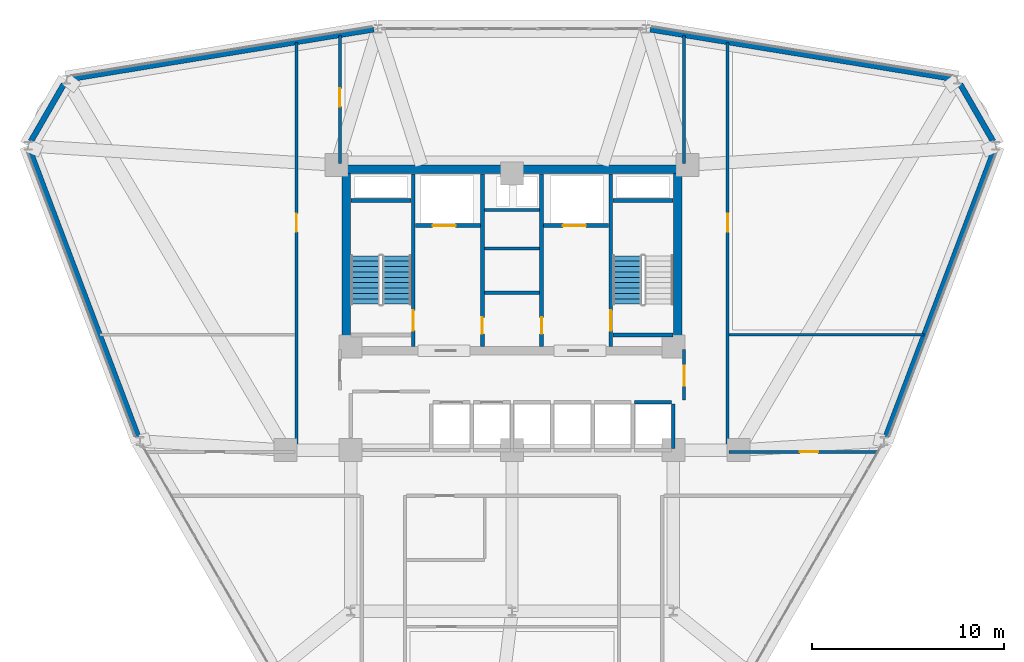
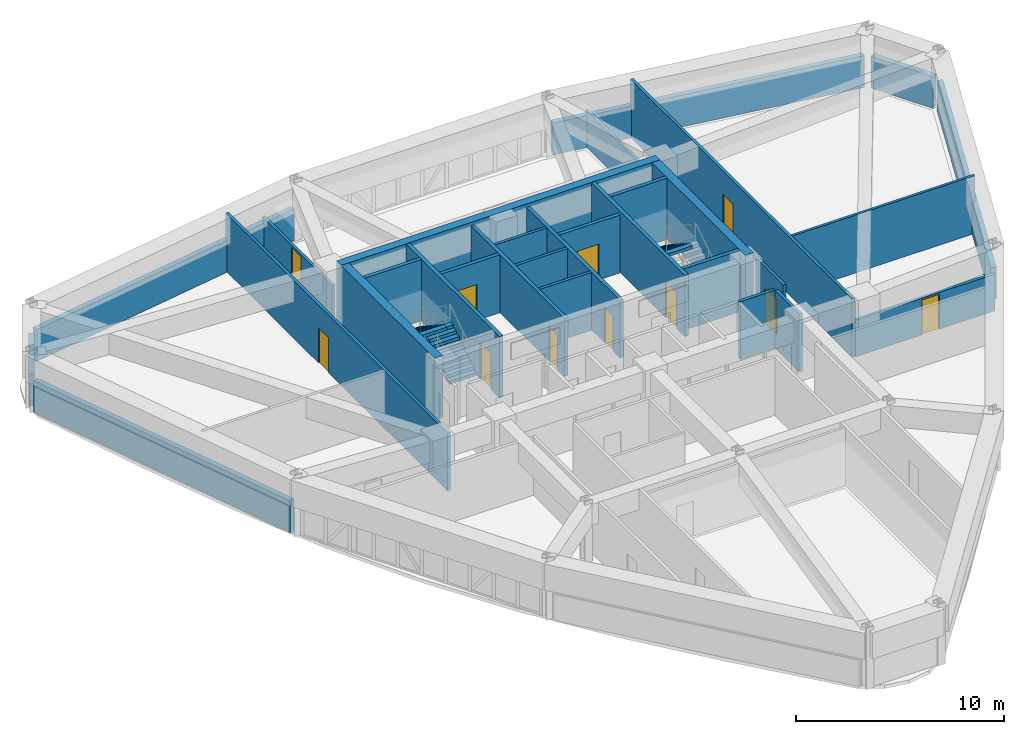
# One storey, part 11 of 15: 30 walls, 11 doors, 3 stair flights, 11 openings, 2 elements without a shape of their own.
"""IFC4 building model written with IfcOpenShell, lengths in metres."""

from ifc_helpers import new_model, si_unit, derived_unit, direction, frame, frame_2d, origin, place, context, subcontext, project, spatial, polyline, rectangle, outline, extrude, material, layer, layer_set, type_object, element, fill, aggregate, save


model = new_model("IFC4")

# Units and contexts
model_context = context("Model", 3, precision=1e-05, world=origin(), true_north=direction((0.0, 1.0)))
body_context = subcontext(model_context, "Body", "Model", "MODEL_VIEW")
ifc_project = project(units=[si_unit("LENGTHUNIT", "METRE"), si_unit("AREAUNIT", "SQUARE_METRE"), si_unit("VOLUMEUNIT", "CUBIC_METRE"), si_unit("PLANEANGLEUNIT", "RADIAN"), si_unit("MASSUNIT", "GRAM", prefix="KILO"), derived_unit("THERMALTRANSMITTANCEUNIT", [(si_unit("POWERUNIT", "WATT"), 1), (si_unit("LENGTHUNIT", "METRE"), -2), (si_unit("THERMODYNAMICTEMPERATUREUNIT", "KELVIN"), -1)])], contexts=[model_context])

# Site, building, storey
site_placement = place(None, origin())
site = spatial("IfcSite", under=ifc_project, at=site_placement, CompositionType="ELEMENT")
building_placement = place(site_placement, origin())
building = spatial("IfcBuilding", under=site, at=building_placement, Name="Korsvarv Bourse and Concert Hall", CompositionType="ELEMENT")
storey_placement = place(building_placement, frame((0.0, 0.0, 117.0)))
storey = spatial("IfcBuildingStorey", under=building, at=storey_placement, Name="L29", CompositionType="ELEMENT", Elevation=117.0)

# Wall, opening, door
ifc_material_1 = material(Name="Concrete C50/60", Category="concrete")
ifc_layer_1 = layer(ifc_material_1, 0.3798828125)
ifc_layer_set_1 = layer_set([ifc_layer_1], Name="Concrete C50/60")
wall_type_1 = type_object("IfcWallType", Name="WL-CORE-380", PredefinedType="SHEAR", material=ifc_layer_set_1)
wall_1_placement = place(storey_placement, frame((30.860107421875, 37.81005859375, 0.0), z_axis=(0.0, 0.0, 1.0), x_axis=(0.0, 1.0, 0.0)))
wall_1 = element("IfcWall", 1, at=wall_1_placement, inside=storey, type_object=wall_type_1, Name="L29 stair shaft structural wall W-L29-ST1-E", PredefinedType="SHEAR", context=body_context, shape_type="SweptSolid", body=[
    extrude(rectangle(XDim=8.97998046875, YDim=0.199951171875, at=frame_2d((4.489990234375, 0.0))), origin(), (0.0, 0.0, 1.0), 3.60009765625),
])
opening_1_placement = place(wall_1_placement, frame((0.820068359375, 0.0, 0.0)))
opening_1 = element("IfcOpeningElement", 2, at=opening_1_placement, cuts=wall_1, Name="Opening D-01", PredefinedType="OPENING", context=body_context, shape_type="SweptSolid", body=[
    extrude(rectangle(XDim=1.050048828125, YDim=2.10009765625, at=frame_2d((0.52490234375, 1.050048828125))), frame((0.0, 0.10986328125, 0.0), z_axis=(0.0, -1.0, 0.0), x_axis=(1.0, 0.0, 0.0)), (0.0, 0.0, 1.0), 0.219970703125),
])
ifc_material_2 = material(Name="Steel S355 fire door", Category="steel")
door_type_1 = type_object("IfcDoorType", Name="DR-FD60", OperationType="NOTDEFINED", PredefinedType="DOOR", material=ifc_material_2)
door_1_placement = place(opening_1_placement, origin())
door_1 = element("IfcDoor", 3, at=door_1_placement, inside=storey, type_object=door_type_1, Name="L29 interior door DR-L29-ST1", OperationType="SINGLE_SWING_LEFT", OverallHeight=2.10009765625, OverallWidth=1.050048828125, PredefinedType="DOOR", context=body_context, shape_type="SweptSolid", body=[
    extrude(rectangle(XDim=1.050048828125, YDim=2.10009765625, at=frame_2d((0.52490234375, 1.050048828125))), frame((0.0, 0.02490234375, 0.0), z_axis=(0.0, -1.0, 0.0), x_axis=(1.0, 0.0, 0.0)), (0.0, 0.0, 1.0), 0.050048828125),
])
fill(opening_1, door_1)

# Wall
wall_2_placement = place(storey_placement, frame((27.610107421875, 45.39990234375, 0.0), z_axis=(0.0, 0.0, 1.0), x_axis=(1.0, 0.0, 0.0)))
element("IfcWall", 4, at=wall_2_placement, inside=storey, type_object=wall_type_1, Name="L29 stair shaft structural wall W-L29-ST1-N", PredefinedType="SHEAR", context=body_context, shape_type="SweptSolid", body=[
    extrude(rectangle(XDim=3.139892578125, YDim=0.199951171875, at=frame_2d((1.56982421875, 0.0))), origin(), (0.0, 0.0, 1.0), 3.60009765625),
])

# Wall, opening, door
wall_3_placement = place(storey_placement, frame((41.139892578125, 37.81005859375, 0.0), z_axis=(0.0, 0.0, 1.0), x_axis=(0.0, 1.0, 0.0)))
wall_3 = element("IfcWall", 5, at=wall_3_placement, inside=storey, type_object=wall_type_1, Name="L29 stair shaft structural wall W-L29-ST2-W", PredefinedType="SHEAR", context=body_context, shape_type="SweptSolid", body=[
    extrude(rectangle(XDim=8.97998046875, YDim=0.199951171875, at=frame_2d((4.489990234375, 0.0))), origin(), (0.0, 0.0, 1.0), 3.60009765625),
])
opening_2_placement = place(wall_3_placement, frame((0.820068359375, 0.0, 0.0)))
opening_2 = element("IfcOpeningElement", 6, at=opening_2_placement, cuts=wall_3, Name="Opening D-01", PredefinedType="OPENING", context=body_context, shape_type="SweptSolid", body=[
    extrude(rectangle(XDim=1.050048828125, YDim=2.10009765625, at=frame_2d((0.52490234375, 1.050048828125))), frame((0.0, 0.10986328125, 0.0), z_axis=(0.0, -1.0, 0.0), x_axis=(1.0, 0.0, 0.0)), (0.0, 0.0, 1.0), 0.219970703125),
])
door_2_placement = place(opening_2_placement, frame((1.050048828125, 0.0, 0.0), z_axis=(0.0, 0.0, 1.0), x_axis=(-1.0, 0.0, 0.0)))
door_2 = element("IfcDoor", 7, at=door_2_placement, inside=storey, type_object=door_type_1, Name="L29 interior door DR-L29-ST2", OperationType="SINGLE_SWING_RIGHT", OverallHeight=2.10009765625, OverallWidth=1.050048828125, PredefinedType="DOOR", context=body_context, shape_type="SweptSolid", body=[
    extrude(rectangle(XDim=1.050048828125, YDim=2.10009765625, at=frame_2d((0.52490234375, 1.050048828125))), frame((0.0, 0.02490234375, 0.0), z_axis=(0.0, -1.0, 0.0), x_axis=(1.0, 0.0, 0.0)), (0.0, 0.0, 1.0), 0.050048828125),
])
fill(opening_2, door_2)

# Walls
for number, where, z_axis, x_axis, name in (
    (8, (41.25, 45.39990234375, 0.0), (0.0, 0.0, 1.0), (1.0, 0.0, 0.0), "L29 stair shaft structural wall W-L29-ST2-N"),
    (9, (41.25, 38.39990234375, 0.0), (0.0, 0.0, 1.0), (1.0, 0.0, 0.0), "L29 stair shaft structural wall W-L29-ST2-S"),
):
    element("IfcWall", number, at=place(storey_placement, frame(where, z_axis=z_axis, x_axis=x_axis)), inside=storey, type_object=wall_type_1, Name=name, PredefinedType="SHEAR", context=body_context, shape_type="SweptSolid", body=[
        extrude(rectangle(XDim=3.139892578125, YDim=0.199951171875, at=frame_2d((1.56982421875, 0.0))), origin(), (0.0, 0.0, 1.0), 3.60009765625),
    ])
ifc_material_3 = material(Name="Concrete C55/67", Category="concrete")
ifc_layer_2 = layer(ifc_material_3, 0.449951171875)
ifc_layer_set_2 = layer_set([ifc_layer_2], Name="Concrete C55/67")
wall_type_2 = type_object("IfcWallType", Name="WL-CORE-450", PredefinedType="SHEAR", material=ifc_layer_set_2)
wall_4_placement = place(storey_placement, frame((27.14990234375, 47.02490234375, 0.0), z_axis=(0.0, 0.0, 1.0), x_axis=(1.0, 0.0, 0.0)))
element("IfcWall", 10, at=wall_4_placement, inside=storey, type_object=wall_type_2, Name="L29 North Core Shear Wall", PredefinedType="SHEAR", context=body_context, shape_type="SweptSolid", body=[
    extrude(rectangle(XDim=17.7001953125, YDim=0.449951171875, at=frame_2d((8.85009765625, 0.0))), origin(), (0.0, 0.0, 1.0), 3.60009765625),
])
for number, where, z_axis, x_axis, name in (
    (11, (27.375, 37.800048828125, 0.0), (0.0, 0.0, 1.0), (0.0, 1.0, 0.0), "L29 West Core Shear Wall"),
    (12, (44.625, 37.800048828125, 0.0), (0.0, 0.0, 1.0), (0.0, 1.0, 0.0), "L29 East Core Shear Wall"),
):
    element("IfcWall", number, at=place(storey_placement, frame(where, z_axis=z_axis, x_axis=x_axis)), inside=storey, type_object=wall_type_2, Name=name, PredefinedType="SHEAR", context=body_context, shape_type="SweptSolid", body=[
        extrude(rectangle(XDim=9.0, YDim=0.449951171875, at=frame_2d((4.5, 0.0))), origin(), (0.0, 0.0, 1.0), 3.60009765625),
    ])
ifc_material_4 = material(Name="Precast concrete C45/55 with terracotta rainscreen", Category="concrete")
ifc_layer_3 = layer(ifc_material_4, 0.300048828125)
ifc_layer_set_3 = layer_set([ifc_layer_3], Name="Precast concrete C45/55 with terracotta rainscreen")
wall_type_3 = type_object("IfcWallType", Name="WL-EXT-TC1", PredefinedType="SOLIDWALL", material=ifc_layer_set_3)
for number, where, z_axis, x_axis, name in (
    (13, (61.060791015625, 48.48388671875, 0.0), (0.0, 0.0, 1.0), (-0.500064626416, 0.86598808849, 0.0), "L29 terracotta exterior wall EW-L29-B01"),
    (14, (12.658447265625, 51.461181640625, 0.0), (0.0, 0.0, 1.0), (-0.500064626416, -0.86598808849, 0.0), "L29 terracotta exterior wall EW-L29-B05"),
):
    element("IfcWall", number, at=place(storey_placement, frame(where, z_axis=z_axis, x_axis=x_axis)), inside=storey, type_object=wall_type_3, Name=name, PredefinedType="SOLIDWALL", context=body_context, shape_type="SweptSolid", body=[
        extrude(rectangle(XDim=3.43798828125, YDim=0.300048828125, at=frame_2d((1.718994140625, 0.0))), origin(), (0.0, 0.0, 1.0), 1.8701171875),
    ])
ifc_material_5 = material(Name="Precast concrete C45/55 with fluted terracotta pier", Category="concrete")
ifc_layer_4 = layer(ifc_material_5, 0.280029296875)
ifc_layer_set_4 = layer_set([ifc_layer_4], Name="Precast concrete C45/55 with fluted terracotta pier")
wall_type_4 = type_object("IfcWallType", Name="WL-EXT-TC2", PredefinedType="SOLIDWALL", material=ifc_layer_set_4)
for number, where, z_axis, x_axis, name in (
    (15, (58.993408203125, 51.728759765625, 0.0), (0.0, 0.0, 1.0), (-0.98690696995, 0.161290522546, 0.0), "L29 terracotta exterior wall EW-L29-B02"),
    (16, (28.798095703125, 54.3095703125, 0.0), (0.0, 0.0, 1.0), (-0.98690696995, -0.161290522546, 0.0), "L29 terracotta exterior wall EW-L29-B04"),
):
    element("IfcWall", number, at=place(storey_placement, frame(where, z_axis=z_axis, x_axis=x_axis)), inside=storey, type_object=wall_type_4, Name=name, PredefinedType="SOLIDWALL", context=body_context, shape_type="SweptSolid", body=[
        extrude(rectangle(XDim=16.0009765625, YDim=0.280029296875, at=frame_2d((8.00048828125, 0.0))), origin(), (0.0, 0.0, 1.0), 1.8701171875),
    ])
for number, where, z_axis, x_axis, name in (
    (17, (10.89306640625, 48.018798828125, 0.0), (0.0, 0.0, 1.0), (0.353771130195, -0.935332019895, 0.0), "L29 terracotta exterior wall EW-L29-B06"),
    (18, (55.46875, 33.112060546875, 0.0), (0.0, 0.0, 1.0), (0.353771130195, 0.935332019895, 0.0), "L29 terracotta exterior wall EW-L29-B12"),
):
    element("IfcWall", number, at=place(storey_placement, frame(where, z_axis=z_axis, x_axis=x_axis)), inside=storey, type_object=wall_type_4, Name=name, PredefinedType="SOLIDWALL", context=body_context, shape_type="SweptSolid", body=[
        extrude(rectangle(XDim=15.937255859375, YDim=0.280029296875, at=frame_2d((7.96875, 0.0))), origin(), (0.0, 0.0, 1.0), 1.8701171875),
    ])

# Wall, opening, door
ifc_material_6 = material(Name="Reinforced concrete blockwork C35/45 fire wall", Category="concrete")
ifc_layer_5 = layer(ifc_material_6, 0.199951171875)
ifc_layer_set_5 = layer_set([ifc_layer_5], Name="Reinforced concrete blockwork C35/45 fire wall")
wall_type_5 = type_object("IfcWallType", Name="WL-INT-EI120", PredefinedType="PARTITIONING", material=ifc_layer_set_5)
wall_5_placement = place(storey_placement, frame((30.969970703125, 44.10009765625, 0.0), z_axis=(0.0, 0.0, 1.0), x_axis=(1.0, 0.0, 0.0)))
wall_5 = element("IfcWall", 19, at=wall_5_placement, inside=storey, type_object=wall_type_5, Name="L29 interior partition wall W-L29-FF1-S", PredefinedType="PARTITIONING", context=body_context, shape_type="SweptSolid", body=[
    extrude(rectangle(XDim=3.380126953125, YDim=0.199951171875, at=frame_2d((1.68994140625, 0.0))), origin(), (0.0, 0.0, 1.0), 3.39990234375),
])
opening_3_placement = place(wall_5_placement, frame((0.89990234375, 0.0, 0.0)))
opening_3 = element("IfcOpeningElement", 20, at=opening_3_placement, cuts=wall_5, Name="Opening LD-1", PredefinedType="OPENING", context=body_context, shape_type="SweptSolid", body=[
    extrude(rectangle(XDim=1.199951171875, YDim=2.10009765625, at=frame_2d((0.60009765625, 1.050048828125))), frame((0.0, 0.10986328125, 0.0), z_axis=(0.0, -1.0, 0.0), x_axis=(1.0, 0.0, 0.0)), (0.0, 0.0, 1.0), 0.219970703125),
])
ifc_material_7 = material(Name="Stainless Steel S355 firefighting lift landing door", Category="steel")
door_type_2 = type_object("IfcDoorType", Name="DR-LIFT-FF", OperationType="DOUBLE_DOOR_SLIDING", PredefinedType="DOOR", material=ifc_material_7)
door_3_placement = place(opening_3_placement, origin())
door_3 = element("IfcDoor", 21, at=door_3_placement, inside=storey, type_object=door_type_2, Name="L29 lift sliding landing door LD-L29-FF1", OperationType="DOUBLE_DOOR_SLIDING", OverallHeight=2.10009765625, OverallWidth=1.199951171875, PredefinedType="DOOR", context=body_context, shape_type="SweptSolid", body=[
    extrude(rectangle(XDim=1.199951171875, YDim=2.10009765625, at=frame_2d((0.60009765625, 1.050048828125))), frame((0.0, 0.02490234375, 0.0), z_axis=(0.0, -1.0, 0.0), x_axis=(1.0, 0.0, 0.0)), (0.0, 0.0, 1.0), 0.050048828125),
])
fill(opening_3, door_3)

wall_6_placement = place(storey_placement, frame((37.64990234375, 44.10009765625, 0.0), z_axis=(0.0, 0.0, 1.0), x_axis=(1.0, 0.0, 0.0)))
wall_6 = element("IfcWall", 22, at=wall_6_placement, inside=storey, type_object=wall_type_5, Name="L29 interior partition wall W-L29-FF2-S", PredefinedType="PARTITIONING", context=body_context, shape_type="SweptSolid", body=[
    extrude(rectangle(XDim=3.380126953125, YDim=0.199951171875, at=frame_2d((1.68994140625, 0.0))), origin(), (0.0, 0.0, 1.0), 3.39990234375),
])
opening_4_placement = place(wall_6_placement, frame((1.0, 0.0, 0.0)))
opening_4 = element("IfcOpeningElement", 23, at=opening_4_placement, cuts=wall_6, Name="Opening LD-1", PredefinedType="OPENING", context=body_context, shape_type="SweptSolid", body=[
    extrude(rectangle(XDim=1.199951171875, YDim=2.10009765625, at=frame_2d((0.60009765625, 1.050048828125))), frame((0.0, 0.10986328125, 0.0), z_axis=(0.0, -1.0, 0.0), x_axis=(1.0, 0.0, 0.0)), (0.0, 0.0, 1.0), 0.219970703125),
])
door_4_placement = place(opening_4_placement, origin())
door_4 = element("IfcDoor", 24, at=door_4_placement, inside=storey, type_object=door_type_2, Name="L29 lift sliding landing door LD-L29-FF2", OperationType="DOUBLE_DOOR_SLIDING", OverallHeight=2.10009765625, OverallWidth=1.199951171875, PredefinedType="DOOR", context=body_context, shape_type="SweptSolid", body=[
    extrude(rectangle(XDim=1.199951171875, YDim=2.10009765625, at=frame_2d((0.60009765625, 1.050048828125))), frame((0.0, 0.02490234375, 0.0), z_axis=(0.0, -1.0, 0.0), x_axis=(1.0, 0.0, 0.0)), (0.0, 0.0, 1.0), 0.050048828125),
])
fill(opening_4, door_4)

wall_7_placement = place(storey_placement, frame((34.4599609375, 37.81005859375, 0.0), z_axis=(0.0, 0.0, 1.0), x_axis=(0.0, 1.0, 0.0)))
wall_7 = element("IfcWall", 25, at=wall_7_placement, inside=storey, type_object=wall_type_5, Name="L29 interior partition wall W-L29-CSB-W", PredefinedType="PARTITIONING", context=body_context, shape_type="SweptSolid", body=[
    extrude(rectangle(XDim=8.97998046875, YDim=0.199951171875, at=frame_2d((4.489990234375, 0.0))), origin(), (0.0, 0.0, 1.0), 3.39990234375),
])
opening_5_placement = place(wall_7_placement, frame((0.64990234375, 0.0, 0.0)))
opening_5 = element("IfcOpeningElement", 26, at=opening_5_placement, cuts=wall_7, Name="Opening D-05", PredefinedType="OPENING", context=body_context, shape_type="SweptSolid", body=[
    extrude(rectangle(XDim=0.85009765625, YDim=2.050048828125, at=frame_2d((0.425048828125, 1.02490234375))), frame((0.0, 0.10986328125, 0.0), z_axis=(0.0, -1.0, 0.0), x_axis=(1.0, 0.0, 0.0)), (0.0, 0.0, 1.0), 0.219970703125),
])
door_type_3 = type_object("IfcDoorType", Name="DR-FD60-850X2050", OperationType="NOTDEFINED", PredefinedType="DOOR", material=ifc_material_2)
door_5_placement = place(opening_5_placement, frame((0.85009765625, 0.0, 0.0), z_axis=(0.0, 0.0, 1.0), x_axis=(-1.0, 0.0, 0.0)))
door_5 = element("IfcDoor", 27, at=door_5_placement, inside=storey, type_object=door_type_3, Name="L29 interior door DR-L29-CSB1", OperationType="SINGLE_SWING_LEFT", OverallHeight=2.050048828125, OverallWidth=0.85009765625, PredefinedType="DOOR", context=body_context, shape_type="SweptSolid", body=[
    extrude(rectangle(XDim=0.85009765625, YDim=2.050048828125, at=frame_2d((0.425048828125, 1.02490234375))), frame((0.0, 0.02490234375, 0.0), z_axis=(0.0, -1.0, 0.0), x_axis=(1.0, 0.0, 0.0)), (0.0, 0.0, 1.0), 0.050048828125),
])
fill(opening_5, door_5)

wall_8_placement = place(storey_placement, frame((37.5400390625, 37.81005859375, 0.0), z_axis=(0.0, 0.0, 1.0), x_axis=(0.0, 1.0, 0.0)))
wall_8 = element("IfcWall", 28, at=wall_8_placement, inside=storey, type_object=wall_type_5, Name="L29 interior partition wall W-L29-CSB-E", PredefinedType="PARTITIONING", context=body_context, shape_type="SweptSolid", body=[
    extrude(rectangle(XDim=8.97998046875, YDim=0.199951171875, at=frame_2d((4.489990234375, 0.0))), origin(), (0.0, 0.0, 1.0), 3.39990234375),
])
opening_6_placement = place(wall_8_placement, frame((0.64990234375, 0.0, 0.0)))
opening_6 = element("IfcOpeningElement", 29, at=opening_6_placement, cuts=wall_8, Name="Opening D-05", PredefinedType="OPENING", context=body_context, shape_type="SweptSolid", body=[
    extrude(rectangle(XDim=0.85009765625, YDim=2.050048828125, at=frame_2d((0.425048828125, 1.02490234375))), frame((0.0, 0.10986328125, 0.0), z_axis=(0.0, -1.0, 0.0), x_axis=(1.0, 0.0, 0.0)), (0.0, 0.0, 1.0), 0.219970703125),
])
door_6_placement = place(opening_6_placement, origin())
door_6 = element("IfcDoor", 30, at=door_6_placement, inside=storey, type_object=door_type_3, Name="L29 interior door DR-L29-CSB2", OperationType="SINGLE_SWING_RIGHT", OverallHeight=2.050048828125, OverallWidth=0.85009765625, PredefinedType="DOOR", context=body_context, shape_type="SweptSolid", body=[
    extrude(rectangle(XDim=0.85009765625, YDim=2.050048828125, at=frame_2d((0.425048828125, 1.02490234375))), frame((0.0, 0.02490234375, 0.0), z_axis=(0.0, -1.0, 0.0), x_axis=(1.0, 0.0, 0.0)), (0.0, 0.0, 1.0), 0.050048828125),
])
fill(opening_6, door_6)

# Walls
ifc_material_8 = material(Name="Double-stud fire-rated acoustic partition", Category="gypsum")
ifc_layer_6 = layer(ifc_material_8, 0.159912109375)
ifc_layer_set_6 = layer_set([ifc_layer_6], Name="Double-stud fire-rated acoustic partition")
wall_type_6 = type_object("IfcWallType", Name="WL-INT-EI60", PredefinedType="PARTITIONING", material=ifc_layer_set_6)
for number, where, z_axis, x_axis, name in (
    (31, (34.570068359375, 40.60009765625, 0.0), (0.0, 0.0, 1.0), (1.0, 0.0, 0.0), "L29 interior partition wall W-L29-K1"),
    (32, (34.570068359375, 42.89990234375, 0.0), (0.0, 0.0, 1.0), (1.0, 0.0, 0.0), "L29 interior partition wall W-L29-K2"),
    (33, (34.570068359375, 44.89990234375, 0.0), (0.0, 0.0, 1.0), (1.0, 0.0, 0.0), "L29 interior partition wall W-L29-K3"),
):
    element("IfcWall", number, at=place(storey_placement, frame(where, z_axis=z_axis, x_axis=x_axis)), inside=storey, type_object=wall_type_6, Name=name, PredefinedType="PARTITIONING", context=body_context, shape_type="SweptSolid", body=[
        extrude(rectangle(XDim=2.85986328125, YDim=0.159912109375, at=frame_2d((1.429931640625, 0.0))), origin(), (0.0, 0.0, 1.0), 3.39990234375),
    ])

# Wall, opening, door
wall_9_placement = place(storey_placement, frame((44.9599609375, 35.0, 0.0), z_axis=(0.0, 0.0, 1.0), x_axis=(0.0, 1.0, 0.0)))
wall_9 = element("IfcWall", 34, at=wall_9_placement, inside=storey, type_object=wall_type_6, Name="L29 interior partition wall W-L29-LOB-E", PredefinedType="PARTITIONING", context=body_context, shape_type="SweptSolid", body=[
    extrude(rectangle(XDim=2.64990234375, YDim=0.159912109375, at=frame_2d((1.324951171875, 0.0))), origin(), (0.0, 0.0, 1.0), 3.39990234375),
])
opening_7_placement = place(wall_9_placement, frame((0.75, 0.0, 0.0)))
opening_7 = element("IfcOpeningElement", 35, at=opening_7_placement, cuts=wall_9, Name="Opening D-01", PredefinedType="OPENING", context=body_context, shape_type="SweptSolid", body=[
    extrude(rectangle(XDim=1.050048828125, YDim=2.10009765625, at=frame_2d((0.52490234375, 1.050048828125))), frame((0.0, 0.08984375, 0.0), z_axis=(0.0, -1.0, 0.0), x_axis=(1.0, 0.0, 0.0)), (0.0, 0.0, 1.0), 0.179931640625),
])
door_7_placement = place(opening_7_placement, origin())
door_7 = element("IfcDoor", 36, at=door_7_placement, inside=storey, type_object=door_type_1, Name="L29 interior door DR-L29-LOBE", OperationType="SINGLE_SWING_LEFT", OverallHeight=2.10009765625, OverallWidth=1.050048828125, PredefinedType="DOOR", context=body_context, shape_type="SweptSolid", body=[
    extrude(rectangle(XDim=1.050048828125, YDim=2.10009765625, at=frame_2d((0.52490234375, 1.050048828125))), frame((0.0, 0.02490234375, 0.0), z_axis=(0.0, -1.0, 0.0), x_axis=(1.0, 0.0, 0.0)), (0.0, 0.0, 1.0), 0.050048828125),
])
fill(opening_7, door_7)

wall_10_placement = place(storey_placement, frame((47.22509765625, 32.31005859375, 0.0), z_axis=(0.0, 0.0, 1.0), x_axis=(0.0, 1.0, 0.0)))
wall_10 = element("IfcWall", 37, at=wall_10_placement, inside=storey, type_object=wall_type_6, Name="L29 interior partition wall W-L29-TCOR-01", PredefinedType="PARTITIONING", context=body_context, shape_type="SweptSolid", body=[
    extrude(rectangle(XDim=21.322021484375, YDim=0.159912109375, at=frame_2d((10.6611328125, 0.0))), origin(), (0.0, 0.0, 1.0), 3.39990234375),
])
opening_8_placement = place(wall_10_placement, frame((11.45703125, 0.0, 0.0)))
opening_8 = element("IfcOpeningElement", 38, at=opening_8_placement, cuts=wall_10, Name="Opening D-02", PredefinedType="OPENING", context=body_context, shape_type="SweptSolid", body=[
    extrude(rectangle(XDim=0.949951171875, YDim=2.050048828125, at=frame_2d((0.47509765625, 1.02490234375))), frame((0.0, 0.08984375, 0.0), z_axis=(0.0, -1.0, 0.0), x_axis=(1.0, 0.0, 0.0)), (0.0, 0.0, 1.0), 0.179931640625),
])
ifc_material_9 = material(Name="Timber and steel acoustic fire door", Category="wood")
door_type_4 = type_object("IfcDoorType", Name="DR-FD30", OperationType="NOTDEFINED", PredefinedType="DOOR", material=ifc_material_9)
door_8_placement = place(opening_8_placement, origin())
door_8 = element("IfcDoor", 39, at=door_8_placement, inside=storey, type_object=door_type_4, Name="L29 interior door DR-L29-TCOR-REL2", OperationType="SINGLE_SWING_RIGHT", OverallHeight=2.050048828125, OverallWidth=0.949951171875, PredefinedType="DOOR", context=body_context, shape_type="SweptSolid", body=[
    extrude(rectangle(XDim=0.949951171875, YDim=2.050048828125, at=frame_2d((0.47509765625, 1.02490234375))), frame((0.0, 0.02490234375, 0.0), z_axis=(0.0, -1.0, 0.0), x_axis=(1.0, 0.0, 0.0)), (0.0, 0.0, 1.0), 0.050048828125),
])
fill(opening_8, door_8)

wall_11_placement = place(storey_placement, frame((24.77490234375, 32.31005859375, 0.0), z_axis=(0.0, 0.0, 1.0), x_axis=(0.0, 1.0, 0.0)))
wall_11 = element("IfcWall", 40, at=wall_11_placement, inside=storey, type_object=wall_type_6, Name="L29 interior partition wall W-L29-TCOR-02", PredefinedType="PARTITIONING", context=body_context, shape_type="SweptSolid", body=[
    extrude(rectangle(XDim=21.322021484375, YDim=0.159912109375, at=frame_2d((10.6611328125, 0.0))), origin(), (0.0, 0.0, 1.0), 3.39990234375),
])
opening_9_placement = place(wall_11_placement, frame((11.45703125, 0.0, 0.0)))
opening_9 = element("IfcOpeningElement", 41, at=opening_9_placement, cuts=wall_11, Name="Opening D-02", PredefinedType="OPENING", context=body_context, shape_type="SweptSolid", body=[
    extrude(rectangle(XDim=0.949951171875, YDim=2.050048828125, at=frame_2d((0.47509765625, 1.02490234375))), frame((0.0, 0.08984375, 0.0), z_axis=(0.0, -1.0, 0.0), x_axis=(1.0, 0.0, 0.0)), (0.0, 0.0, 1.0), 0.179931640625),
])
door_9_placement = place(opening_9_placement, origin())
door_9 = element("IfcDoor", 42, at=door_9_placement, inside=storey, type_object=door_type_4, Name="L29 interior door DR-L29-TCOR-CHG9", OperationType="SINGLE_SWING_LEFT", OverallHeight=2.050048828125, OverallWidth=0.949951171875, PredefinedType="DOOR", context=body_context, shape_type="SweptSolid", body=[
    extrude(rectangle(XDim=0.949951171875, YDim=2.050048828125, at=frame_2d((0.47509765625, 1.02490234375))), frame((0.0, 0.02490234375, 0.0), z_axis=(0.0, -1.0, 0.0), x_axis=(1.0, 0.0, 0.0)), (0.0, 0.0, 1.0), 0.050048828125),
])
fill(opening_9, door_9)

wall_12_placement = place(storey_placement, frame((47.306884765625, 32.31494140625, 0.0), z_axis=(0.0, 0.0, 1.0), x_axis=(1.0, 0.0, 0.0)))
wall_12 = element("IfcWall", 43, at=wall_12_placement, inside=storey, type_object=wall_type_6, Name="L29 interior partition wall W-L29-TCOR-11", PredefinedType="PARTITIONING", context=body_context, shape_type="SweptSolid", body=[
    extrude(rectangle(XDim=7.72802734375, YDim=0.159912109375, at=frame_2d((3.864013671875, 0.0))), origin(), (0.0, 0.0, 1.0), 2.159912109375),
])
opening_10_placement = place(wall_12_placement, frame((3.69091796875, 0.0, 0.0)))
opening_10 = element("IfcOpeningElement", 44, at=opening_10_placement, cuts=wall_12, Name="Opening D-02", PredefinedType="OPENING", context=body_context, shape_type="SweptSolid", body=[
    extrude(rectangle(XDim=0.949951171875, YDim=2.050048828125, at=frame_2d((0.47509765625, 1.02490234375))), frame((0.0, 0.08984375, 0.0), z_axis=(0.0, -1.0, 0.0), x_axis=(1.0, 0.0, 0.0)), (0.0, 0.0, 1.0), 0.179931640625),
])
door_10_placement = place(opening_10_placement, origin())
door_10 = element("IfcDoor", 45, at=door_10_placement, inside=storey, type_object=door_type_4, Name="L29 interior door DR-L29-TCOR-JUI1", OperationType="SINGLE_SWING_LEFT", OverallHeight=2.050048828125, OverallWidth=0.949951171875, PredefinedType="DOOR", context=body_context, shape_type="SweptSolid", body=[
    extrude(rectangle(XDim=0.949951171875, YDim=2.050048828125, at=frame_2d((0.47509765625, 1.02490234375))), frame((0.0, 0.02490234375, 0.0), z_axis=(0.0, -1.0, 0.0), x_axis=(1.0, 0.0, 0.0)), (0.0, 0.0, 1.0), 0.050048828125),
])
fill(opening_10, door_10)

wall_13_placement = place(storey_placement, frame((27.034912109375, 47.340087890625, 0.0), z_axis=(0.0, 0.0, 1.0), x_axis=(0.0, 1.0, 0.0)))
wall_13 = element("IfcWall", 46, at=wall_13_placement, inside=storey, type_object=wall_type_6, Name="L29 interior partition wall W-L29-TCOR-12", PredefinedType="PARTITIONING", context=body_context, shape_type="SweptSolid", body=[
    extrude(rectangle(XDim=6.661376953125, YDim=0.159912109375, at=frame_2d((3.33056640625, 0.0))), origin(), (0.0, 0.0, 1.0), 2.159912109375),
])
opening_11_placement = place(wall_13_placement, frame((2.957275390625, 0.0, 0.0)))
opening_11 = element("IfcOpeningElement", 47, at=opening_11_placement, cuts=wall_13, Name="Opening D-02", PredefinedType="OPENING", context=body_context, shape_type="SweptSolid", body=[
    extrude(rectangle(XDim=0.949951171875, YDim=2.050048828125, at=frame_2d((0.47509765625, 1.02490234375))), frame((0.0, 0.08984375, 0.0), z_axis=(0.0, -1.0, 0.0), x_axis=(1.0, 0.0, 0.0)), (0.0, 0.0, 1.0), 0.179931640625),
])
door_11_placement = place(opening_11_placement, origin())
door_11 = element("IfcDoor", 48, at=door_11_placement, inside=storey, type_object=door_type_4, Name="L29 interior door DR-L29-TCOR-RM44", OperationType="SINGLE_SWING_RIGHT", OverallHeight=2.050048828125, OverallWidth=0.949951171875, PredefinedType="DOOR", context=body_context, shape_type="SweptSolid", body=[
    extrude(rectangle(XDim=0.949951171875, YDim=2.050048828125, at=frame_2d((0.47509765625, 1.02490234375))), frame((0.0, 0.02490234375, 0.0), z_axis=(0.0, -1.0, 0.0), x_axis=(1.0, 0.0, 0.0)), (0.0, 0.0, 1.0), 0.050048828125),
])
fill(opening_11, door_11)

# Walls
wall_14_placement = place(storey_placement, frame((44.965087890625, 47.340087890625, 0.0), z_axis=(0.0, 0.0, 1.0), x_axis=(0.0, 1.0, 0.0)))
element("IfcWall", 49, at=wall_14_placement, inside=storey, type_object=wall_type_6, Name="L29 interior partition wall W-L29-TCOR-13", PredefinedType="PARTITIONING", context=body_context, shape_type="SweptSolid", body=[
    extrude(rectangle(XDim=6.661376953125, YDim=0.159912109375, at=frame_2d((3.33056640625, 0.0))), origin(), (0.0, 0.0, 1.0), 2.159912109375),
])
ifc_material_10 = material(Name="Gypsum-clad autoclaved concrete shaft wall C30/37", Category="concrete")
ifc_layer_7 = layer(ifc_material_10, 0.179931640625)
ifc_layer_set_7 = layer_set([ifc_layer_7], Name="Gypsum-clad autoclaved concrete shaft wall C30/37")
wall_type_7 = type_object("IfcWallType", Name="WL-INT-EI90", PredefinedType="PARTITIONING", material=ifc_layer_set_7)
wall_15_placement = place(storey_placement, frame((42.389892578125, 34.89990234375, 0.0), z_axis=(0.0, 0.0, 1.0), x_axis=(1.0, 0.0, 0.0)))
element("IfcWall", 50, at=wall_15_placement, inside=storey, type_object=wall_type_7, Name="L29 interior partition wall W-L29-SHFN-PO2", PredefinedType="PARTITIONING", context=body_context, shape_type="SweptSolid", body=[
    extrude(rectangle(XDim=1.920166015625, YDim=0.179931640625, at=frame_2d((0.9599609375, 0.0))), origin(), (0.0, 0.0, 1.0), 3.39990234375),
])
wall_16_placement = place(storey_placement, frame((44.39990234375, 32.489990234375, 0.0), z_axis=(0.0, 0.0, 1.0), x_axis=(0.0, 1.0, 0.0)))
element("IfcWall", 51, at=wall_16_placement, inside=storey, type_object=wall_type_7, Name="L29 interior partition wall W-L29-SHFE-END", PredefinedType="PARTITIONING", context=body_context, shape_type="SweptSolid", body=[
    extrude(rectangle(XDim=2.320068359375, YDim=0.179931640625, at=frame_2d((1.16015625, 0.0))), origin(), (0.0, 0.0, 1.0), 3.39990234375),
])
ifc_material_11 = material(Name="Insulated steel-stud office acoustic partition", Category="gypsum")
ifc_layer_8 = layer(ifc_material_11, 0.139892578125)
ifc_layer_set_8 = layer_set([ifc_layer_8], Name="Insulated steel-stud office acoustic partition")
wall_type_8 = type_object("IfcWallType", Name="WL-INT-P1", PredefinedType="PARTITIONING", material=ifc_layer_set_8)
wall_17_placement = place(storey_placement, frame((47.306884765625, 38.405029296875, 0.0), z_axis=(0.0, 0.0, 1.0), x_axis=(1.0, 0.0, 0.0)))
element("IfcWall", 52, at=wall_17_placement, inside=storey, type_object=wall_type_8, Name="L29 interior partition wall W-L29-TCOR-16", PredefinedType="PARTITIONING", context=body_context, shape_type="SweptSolid", body=[
    extrude(rectangle(XDim=10.143798828125, YDim=0.139892578125, at=frame_2d((5.07177734375, 0.0))), origin(), (0.0, 0.0, 1.0), 3.39990234375),
])

# Stair, stair flights
ifc_material_12 = material(Name="Precast concrete C45/55", Category="concrete")
stair_type = type_object("IfcStairType", Name="STR-TYPE-04", PredefinedType="HALF_TURN_STAIR", material=ifc_material_12)
stair_1_placement = place(storey_placement, origin())
stair_1 = element("IfcStair", 53, at=stair_1_placement, inside=storey, type_object=stair_type, Name="L29 Tower West Exit Stair ST-T1", PredefinedType="HALF_TURN_STAIR")
stair_flight_type = type_object("IfcStairFlightType", Name="FLT-TYPE-04", PredefinedType="STRAIGHT", material=ifc_material_12)
stair_flight_1_placement = place(storey_placement, frame((30.010009765625, 40.0, 0.0), z_axis=(0.0, 0.0, 1.0), x_axis=(0.0, 1.0, 0.0)))
stair_flight_1 = element("IfcStairFlight", 54, at=stair_flight_1_placement, type_object=stair_flight_type, Name="ST-T1 flight 1", NumberOfRisers=10, NumberOfTreads=9, PredefinedType="STRAIGHT", RiserHeight=0.18, TreadLength=0.28, context=body_context, shape_type="SweptSolid", body=[
    extrude(outline(polyline([(0.0, 0.0), (0.0, 0.179931640625), (0.280029296875, 0.179931640625), (0.280029296875, 0.360107421875), (0.56005859375, 0.360107421875), (0.56005859375, 0.5400390625), (0.840087890625, 0.5400390625), (0.840087890625, 0.719970703125), (1.1201171875, 0.719970703125), (1.1201171875, 0.89990234375), (1.39990234375, 0.89990234375), (1.39990234375, 1.080078125), (1.679931640625, 1.080078125), (1.679931640625, 1.260009765625), (1.9599609375, 1.260009765625), (1.9599609375, 1.43994140625), (2.239990234375, 1.43994140625), (2.239990234375, 1.6201171875), (2.52001953125, 1.6201171875), (2.52001953125, 1.800048828125), (2.52001953125, 1.44189453125), (0.277099609375, 0.0), (0.0, 0.0)])), frame((0.0, 0.75, 0.0), z_axis=(0.0, -1.0, 0.0), x_axis=(1.0, 0.0, 0.0)), (0.0, 0.0, 1.0), 1.5),
])
stair_flight_2_placement = place(storey_placement, frame((28.35009765625, 42.52001953125, 1.800048828125), z_axis=(0.0, 0.0, 1.0), x_axis=(0.0, -1.0, 0.0)))
stair_flight_2 = element("IfcStairFlight", 55, at=stair_flight_2_placement, type_object=stair_flight_type, Name="ST-T1 flight 2", NumberOfRisers=10, NumberOfTreads=9, PredefinedType="STRAIGHT", RiserHeight=0.18, TreadLength=0.28, context=body_context, shape_type="SweptSolid", body=[
    extrude(outline(polyline([(0.0, 0.0), (0.0, 0.179931640625), (0.280029296875, 0.179931640625), (0.280029296875, 0.360107421875), (0.56005859375, 0.360107421875), (0.56005859375, 0.5400390625), (0.840087890625, 0.5400390625), (0.840087890625, 0.719970703125), (1.1201171875, 0.719970703125), (1.1201171875, 0.89990234375), (1.39990234375, 0.89990234375), (1.39990234375, 1.080078125), (1.679931640625, 1.080078125), (1.679931640625, 1.260009765625), (1.9599609375, 1.260009765625), (1.9599609375, 1.43994140625), (2.239990234375, 1.43994140625), (2.239990234375, 1.6201171875), (2.52001953125, 1.6201171875), (2.52001953125, 1.800048828125), (2.52001953125, 1.44189453125), (0.277099609375, 0.0), (0.0, 0.0)])), frame((0.0, 0.75, 0.0), z_axis=(0.0, -1.0, 0.0), x_axis=(1.0, 0.0, 0.0)), (0.0, 0.0, 1.0), 1.5),
])
aggregate(stair_1, [stair_flight_1, stair_flight_2])

# Stair, stair flight
stair_2_placement = place(storey_placement, origin())
stair_2 = element("IfcStair", 56, at=stair_2_placement, inside=storey, type_object=stair_type, Name="L29 Tower East Exit Stair ST-T2", PredefinedType="HALF_TURN_STAIR")
stair_flight_3_placement = place(storey_placement, frame((41.989990234375, 42.52001953125, 1.800048828125), z_axis=(0.0, 0.0, 1.0), x_axis=(0.0, -1.0, 0.0)))
stair_flight_3 = element("IfcStairFlight", 57, at=stair_flight_3_placement, type_object=stair_flight_type, Name="ST-T2 flight 2", NumberOfRisers=10, NumberOfTreads=9, PredefinedType="STRAIGHT", RiserHeight=0.18, TreadLength=0.28, context=body_context, shape_type="SweptSolid", body=[
    extrude(outline(polyline([(0.0, 0.0), (0.0, 0.179931640625), (0.280029296875, 0.179931640625), (0.280029296875, 0.360107421875), (0.56005859375, 0.360107421875), (0.56005859375, 0.5400390625), (0.840087890625, 0.5400390625), (0.840087890625, 0.719970703125), (1.1201171875, 0.719970703125), (1.1201171875, 0.89990234375), (1.39990234375, 0.89990234375), (1.39990234375, 1.080078125), (1.679931640625, 1.080078125), (1.679931640625, 1.260009765625), (1.9599609375, 1.260009765625), (1.9599609375, 1.43994140625), (2.239990234375, 1.43994140625), (2.239990234375, 1.6201171875), (2.52001953125, 1.6201171875), (2.52001953125, 1.800048828125), (2.52001953125, 1.44189453125), (0.277099609375, 0.0), (0.0, 0.0)])), frame((0.0, 0.75, 0.0), z_axis=(0.0, -1.0, 0.0), x_axis=(1.0, 0.0, 0.0)), (0.0, 0.0, 1.0), 1.5),
])
aggregate(stair_2, [stair_flight_3])

save(model, "model.ifc")
